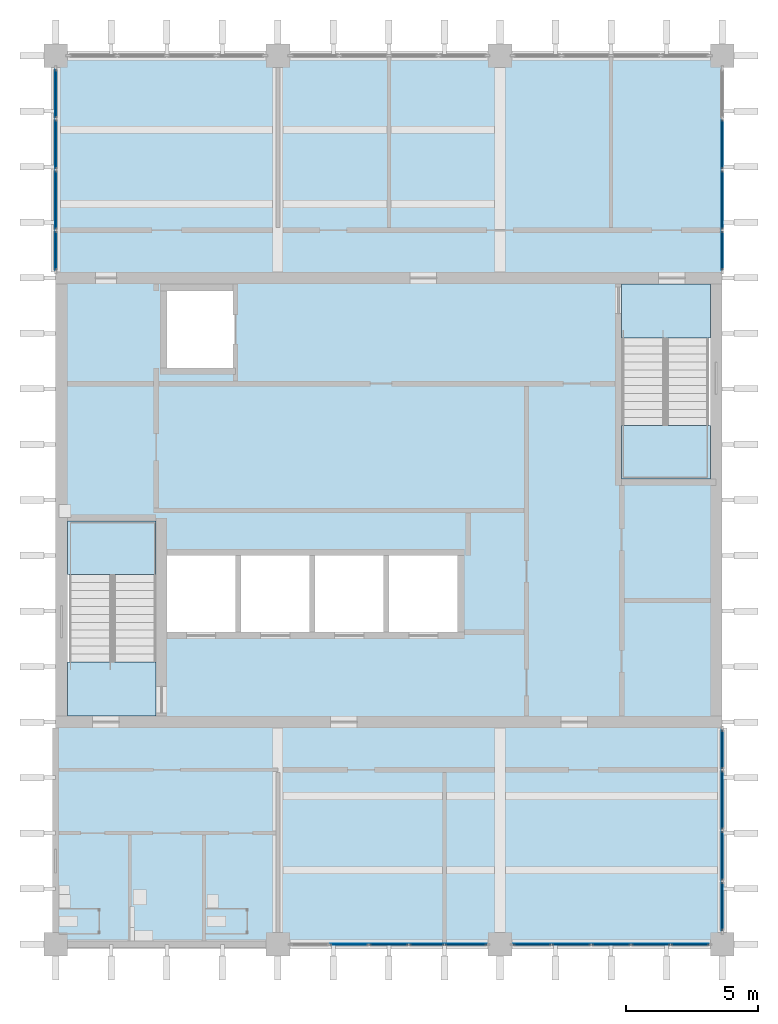
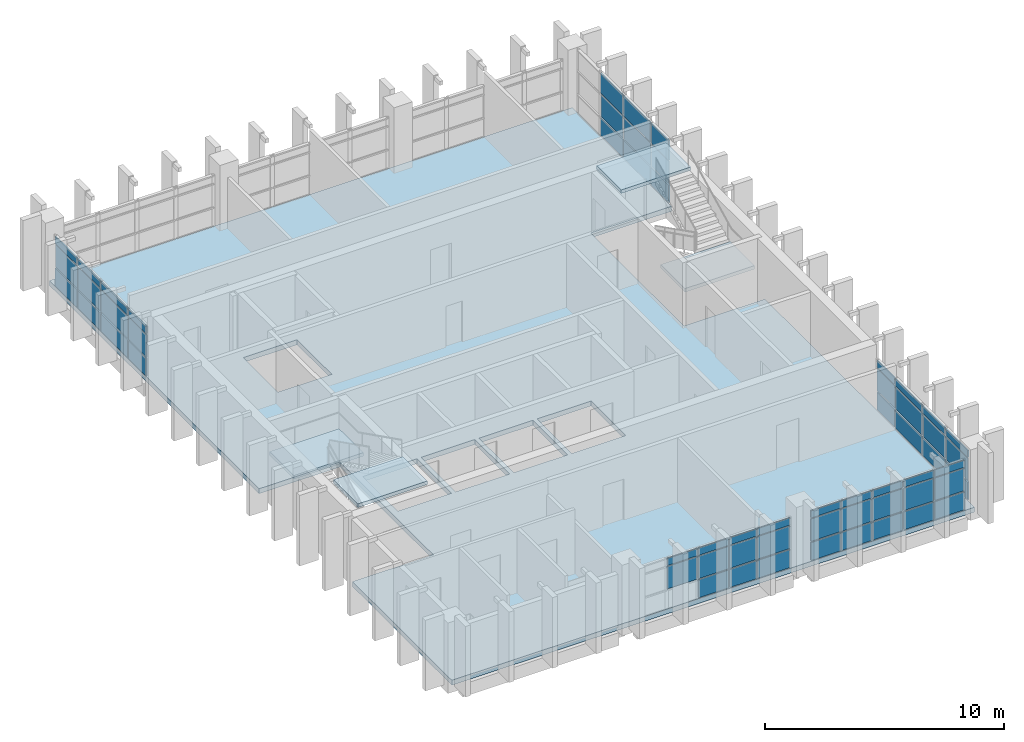
# One storey, part 5 of 10: 59 plates, 5 slabs, 7 elements without a shape of their own.
"""IFC4 building model written with IfcOpenShell, lengths in metres."""

from ifc_helpers import new_model, si_unit, direction, frame, origin, origin_2d, place, context, subcontext, project, spatial, polyline, rectangle, outline, extrude, material, layer, layer_set, type_object, element, aggregate, save


model = new_model("IFC4")

# Units and contexts
model_context = context("Model", 3, precision=1e-05, world=origin(), true_north=direction((0.0, 1.0)))
body_context = subcontext(model_context, "Body", "Model", "MODEL_VIEW")
ifc_project = project(units=[si_unit("LENGTHUNIT", "METRE"), si_unit("AREAUNIT", "SQUARE_METRE"), si_unit("VOLUMEUNIT", "CUBIC_METRE"), si_unit("PLANEANGLEUNIT", "RADIAN"), si_unit("MASSUNIT", "GRAM", prefix="KILO")], contexts=[model_context])

# Site, building, storey
site_placement = place(None, origin())
site = spatial("IfcSite", under=ifc_project, at=site_placement, CompositionType="ELEMENT")
building_placement = place(site_placement, origin())
building = spatial("IfcBuilding", under=site, at=building_placement, Name="Rulbaag Community and Learning Centre", CompositionType="ELEMENT")
storey_placement = place(building_placement, frame((0.0, 0.0, 28.800048828125)))
storey = spatial("IfcBuildingStorey", under=building, at=storey_placement, Name="L07", CompositionType="ELEMENT", Elevation=28.800048828125)

# Curtain wall, plates
ifc_material_1 = material(Name="Aluminium", Category="aluminium")
ifc_layer_1 = layer(ifc_material_1, 0.14990234375)
ifc_layer_set_1 = layer_set([ifc_layer_1], Name="CW-S")
curtain_wall_type_1 = type_object("IfcCurtainWallType", Name="CW-S", PredefinedType="USERDEFINED", material=ifc_layer_set_1)
curtain_wall_1_placement = place(storey_placement, origin())
curtain_wall_1 = element("IfcCurtainWall", 1, at=curtain_wall_1_placement, inside=storey, type_object=curtain_wall_type_1, Name="GS-L07-01", ObjectType="UNITISED CURTAIN WALL", PredefinedType="USERDEFINED")
ifc_layer_2 = layer(ifc_material_1, 0.054931640625)
ifc_layer_set_2 = layer_set([ifc_layer_2], Name="CW-S-SPN")
plate_type_1 = type_object("IfcPlateType", Name="CW-S-SPN", PredefinedType="CURTAIN_PANEL", material=ifc_layer_set_2)
plate_1_placement = place(storey_placement, frame((153.89990234375, 84.0, 2.22998046875), z_axis=(0.0, 0.0, 1.0), x_axis=(1.0, 0.0, 0.0)))
plate_1 = element("IfcPlate", 2, at=plate_1_placement, type_object=plate_type_1, Name="GS spandrel panel", PredefinedType="CURTAIN_PANEL", context=body_context, shape_type="SweptSolid", body=[
    extrude(rectangle(XDim=1.43994140625, YDim=0.054931640625, at=origin_2d()), origin(), (0.0, 0.0, 1.0), 0.360107421875),
])
plate_2_placement = place(storey_placement, frame((155.39990234375, 84.0, 0.06005859375), z_axis=(0.0, 0.0, 1.0), x_axis=(1.0, 0.0, 0.0)))
plate_2 = element("IfcPlate", 3, at=plate_2_placement, type_object=plate_type_1, Name="GS spandrel panel", PredefinedType="CURTAIN_PANEL", context=body_context, shape_type="SweptSolid", body=[
    extrude(rectangle(XDim=1.43994140625, YDim=0.054931640625, at=origin_2d()), origin(), (0.0, 0.0, 1.0), 0.909912109375),
])
plate_3_placement = place(storey_placement, frame((155.39990234375, 84.0, 2.22998046875), z_axis=(0.0, 0.0, 1.0), x_axis=(1.0, 0.0, 0.0)))
plate_3 = element("IfcPlate", 4, at=plate_3_placement, type_object=plate_type_1, Name="GS spandrel panel", PredefinedType="CURTAIN_PANEL", context=body_context, shape_type="SweptSolid", body=[
    extrude(rectangle(XDim=1.43994140625, YDim=0.054931640625, at=origin_2d()), origin(), (0.0, 0.0, 1.0), 0.360107421875),
])
plate_4_placement = place(storey_placement, frame((156.824951171875, 84.0, 0.06005859375), z_axis=(0.0, 0.0, 1.0), x_axis=(1.0, 0.0, 0.0)))
plate_4 = element("IfcPlate", 5, at=plate_4_placement, type_object=plate_type_1, Name="GS spandrel panel", PredefinedType="CURTAIN_PANEL", context=body_context, shape_type="SweptSolid", body=[
    extrude(rectangle(XDim=1.2900390625, YDim=0.054931640625, at=origin_2d()), origin(), (0.0, 0.0, 1.0), 0.909912109375),
])
plate_5_placement = place(storey_placement, frame((156.824951171875, 84.0, 2.22998046875), z_axis=(0.0, 0.0, 1.0), x_axis=(1.0, 0.0, 0.0)))
plate_5 = element("IfcPlate", 6, at=plate_5_placement, type_object=plate_type_1, Name="GS spandrel panel", PredefinedType="CURTAIN_PANEL", context=body_context, shape_type="SweptSolid", body=[
    extrude(rectangle(XDim=1.2900390625, YDim=0.054931640625, at=origin_2d()), origin(), (0.0, 0.0, 1.0), 0.360107421875),
])
plate_6_placement = place(storey_placement, frame((158.31005859375, 84.0, 0.06005859375), z_axis=(0.0, 0.0, 1.0), x_axis=(1.0, 0.0, 0.0)))
plate_6 = element("IfcPlate", 7, at=plate_6_placement, type_object=plate_type_1, Name="GS spandrel panel", PredefinedType="CURTAIN_PANEL", context=body_context, shape_type="SweptSolid", body=[
    extrude(rectangle(XDim=1.56005859375, YDim=0.054931640625, at=origin_2d()), origin(), (0.0, 0.0, 1.0), 0.909912109375),
])
plate_7_placement = place(storey_placement, frame((158.31005859375, 84.0, 2.22998046875), z_axis=(0.0, 0.0, 1.0), x_axis=(1.0, 0.0, 0.0)))
plate_7 = element("IfcPlate", 8, at=plate_7_placement, type_object=plate_type_1, Name="GS spandrel panel", PredefinedType="CURTAIN_PANEL", context=body_context, shape_type="SweptSolid", body=[
    extrude(rectangle(XDim=1.56005859375, YDim=0.054931640625, at=origin_2d()), origin(), (0.0, 0.0, 1.0), 0.360107421875),
])

curtain_wall_2_placement = place(storey_placement, origin())
curtain_wall_2 = element("IfcCurtainWall", 9, at=curtain_wall_2_placement, inside=storey, type_object=curtain_wall_type_1, Name="GS-L07-02", ObjectType="UNITISED CURTAIN WALL", PredefinedType="USERDEFINED")
plate_8_placement = place(storey_placement, frame((160.81494140625, 84.0, 0.06005859375), z_axis=(0.0, 0.0, 1.0), x_axis=(1.0, 0.0, 0.0)))
plate_8 = element("IfcPlate", 10, at=plate_8_placement, type_object=plate_type_1, Name="GS spandrel panel", PredefinedType="CURTAIN_PANEL", context=body_context, shape_type="SweptSolid", body=[
    extrude(rectangle(XDim=1.409912109375, YDim=0.054931640625, at=origin_2d()), origin(), (0.0, 0.0, 1.0), 0.909912109375),
])
plate_9_placement = place(storey_placement, frame((160.81494140625, 84.0, 2.22998046875), z_axis=(0.0, 0.0, 1.0), x_axis=(1.0, 0.0, 0.0)))
plate_9 = element("IfcPlate", 11, at=plate_9_placement, type_object=plate_type_1, Name="GS spandrel panel", PredefinedType="CURTAIN_PANEL", context=body_context, shape_type="SweptSolid", body=[
    extrude(rectangle(XDim=1.409912109375, YDim=0.054931640625, at=origin_2d()), origin(), (0.0, 0.0, 1.0), 0.360107421875),
])
plate_10_placement = place(storey_placement, frame((162.300048828125, 84.0, 0.06005859375), z_axis=(0.0, 0.0, 1.0), x_axis=(1.0, 0.0, 0.0)))
plate_10 = element("IfcPlate", 12, at=plate_10_placement, type_object=plate_type_1, Name="GS spandrel panel", PredefinedType="CURTAIN_PANEL", context=body_context, shape_type="SweptSolid", body=[
    extrude(rectangle(XDim=1.43994140625, YDim=0.054931640625, at=origin_2d()), origin(), (0.0, 0.0, 1.0), 0.909912109375),
])
plate_11_placement = place(storey_placement, frame((162.300048828125, 84.0, 2.22998046875), z_axis=(0.0, 0.0, 1.0), x_axis=(1.0, 0.0, 0.0)))
plate_11 = element("IfcPlate", 13, at=plate_11_placement, type_object=plate_type_1, Name="GS spandrel panel", PredefinedType="CURTAIN_PANEL", context=body_context, shape_type="SweptSolid", body=[
    extrude(rectangle(XDim=1.43994140625, YDim=0.054931640625, at=origin_2d()), origin(), (0.0, 0.0, 1.0), 0.360107421875),
])
plate_12_placement = place(storey_placement, frame((163.800048828125, 84.0, 0.06005859375), z_axis=(0.0, 0.0, 1.0), x_axis=(1.0, 0.0, 0.0)))
plate_12 = element("IfcPlate", 14, at=plate_12_placement, type_object=plate_type_1, Name="GS spandrel panel", PredefinedType="CURTAIN_PANEL", context=body_context, shape_type="SweptSolid", body=[
    extrude(rectangle(XDim=1.43994140625, YDim=0.054931640625, at=origin_2d()), origin(), (0.0, 0.0, 1.0), 0.909912109375),
])
plate_13_placement = place(storey_placement, frame((163.800048828125, 84.0, 2.22998046875), z_axis=(0.0, 0.0, 1.0), x_axis=(1.0, 0.0, 0.0)))
plate_13 = element("IfcPlate", 15, at=plate_13_placement, type_object=plate_type_1, Name="GS spandrel panel", PredefinedType="CURTAIN_PANEL", context=body_context, shape_type="SweptSolid", body=[
    extrude(rectangle(XDim=1.43994140625, YDim=0.054931640625, at=origin_2d()), origin(), (0.0, 0.0, 1.0), 0.360107421875),
])
plate_14_placement = place(storey_placement, frame((165.300048828125, 84.0, 0.06005859375), z_axis=(0.0, 0.0, 1.0), x_axis=(1.0, 0.0, 0.0)))
plate_14 = element("IfcPlate", 16, at=plate_14_placement, type_object=plate_type_1, Name="GS spandrel panel", PredefinedType="CURTAIN_PANEL", context=body_context, shape_type="SweptSolid", body=[
    extrude(rectangle(XDim=1.43994140625, YDim=0.054931640625, at=origin_2d()), origin(), (0.0, 0.0, 1.0), 0.909912109375),
])
plate_15_placement = place(storey_placement, frame((165.300048828125, 84.0, 2.22998046875), z_axis=(0.0, 0.0, 1.0), x_axis=(1.0, 0.0, 0.0)))
plate_15 = element("IfcPlate", 17, at=plate_15_placement, type_object=plate_type_1, Name="GS spandrel panel", PredefinedType="CURTAIN_PANEL", context=body_context, shape_type="SweptSolid", body=[
    extrude(rectangle(XDim=1.43994140625, YDim=0.054931640625, at=origin_2d()), origin(), (0.0, 0.0, 1.0), 0.360107421875),
])
plate_16_placement = place(storey_placement, frame((166.784912109375, 84.0, 0.06005859375), z_axis=(0.0, 0.0, 1.0), x_axis=(1.0, 0.0, 0.0)))
plate_16 = element("IfcPlate", 18, at=plate_16_placement, type_object=plate_type_1, Name="GS spandrel panel", PredefinedType="CURTAIN_PANEL", context=body_context, shape_type="SweptSolid", body=[
    extrude(rectangle(XDim=1.409912109375, YDim=0.054931640625, at=origin_2d()), origin(), (0.0, 0.0, 1.0), 0.909912109375),
])
plate_17_placement = place(storey_placement, frame((166.784912109375, 84.0, 2.22998046875), z_axis=(0.0, 0.0, 1.0), x_axis=(1.0, 0.0, 0.0)))
plate_17 = element("IfcPlate", 19, at=plate_17_placement, type_object=plate_type_1, Name="GS spandrel panel", PredefinedType="CURTAIN_PANEL", context=body_context, shape_type="SweptSolid", body=[
    extrude(rectangle(XDim=1.409912109375, YDim=0.054931640625, at=origin_2d()), origin(), (0.0, 0.0, 1.0), 0.360107421875),
])

# Plate
ifc_material_2 = material(Name="Glass", Category="glass")
ifc_layer_3 = layer(ifc_material_2, 0.030029296875)
ifc_layer_set_3 = layer_set([ifc_layer_3], Name="CW-S-VIS")
plate_type_2 = type_object("IfcPlateType", Name="CW-S-VIS", PredefinedType="CURTAIN_PANEL", material=ifc_layer_set_3)
plate_18_placement = place(storey_placement, frame((153.89990234375, 84.0, 1.02978515625), z_axis=(0.0, 0.0, 1.0), x_axis=(1.0, 0.0, 0.0)))
plate_18 = element("IfcPlate", 20, at=plate_18_placement, type_object=plate_type_2, Name="GS vision panel", PredefinedType="CURTAIN_PANEL", context=body_context, shape_type="SweptSolid", body=[
    extrude(rectangle(XDim=1.43994140625, YDim=0.030029296875, at=origin_2d()), origin(), (0.0, 0.0, 1.0), 1.139892578125),
])

plate_19_placement = place(storey_placement, frame((155.39990234375, 84.0, 1.02978515625), z_axis=(0.0, 0.0, 1.0), x_axis=(1.0, 0.0, 0.0)))
plate_19 = element("IfcPlate", 21, at=plate_19_placement, type_object=plate_type_2, Name="GS vision panel", PredefinedType="CURTAIN_PANEL", context=body_context, shape_type="SweptSolid", body=[
    extrude(rectangle(XDim=1.43994140625, YDim=0.030029296875, at=origin_2d()), origin(), (0.0, 0.0, 1.0), 1.139892578125),
])

plate_20_placement = place(storey_placement, frame((156.824951171875, 84.0, 1.02978515625), z_axis=(0.0, 0.0, 1.0), x_axis=(1.0, 0.0, 0.0)))
plate_20 = element("IfcPlate", 22, at=plate_20_placement, type_object=plate_type_2, Name="GS vision panel", PredefinedType="CURTAIN_PANEL", context=body_context, shape_type="SweptSolid", body=[
    extrude(rectangle(XDim=1.2900390625, YDim=0.030029296875, at=origin_2d()), origin(), (0.0, 0.0, 1.0), 1.139892578125),
])

plate_21_placement = place(storey_placement, frame((158.31005859375, 84.0, 1.02978515625), z_axis=(0.0, 0.0, 1.0), x_axis=(1.0, 0.0, 0.0)))
plate_21 = element("IfcPlate", 23, at=plate_21_placement, type_object=plate_type_2, Name="GS vision panel", PredefinedType="CURTAIN_PANEL", context=body_context, shape_type="SweptSolid", body=[
    extrude(rectangle(XDim=1.56005859375, YDim=0.030029296875, at=origin_2d()), origin(), (0.0, 0.0, 1.0), 1.139892578125),
])

aggregate(curtain_wall_1, [plate_18, plate_1, plate_2, plate_19, plate_3, plate_4, plate_20, plate_5, plate_6, plate_21, plate_7])

plate_22_placement = place(storey_placement, frame((160.81494140625, 84.0, 1.02978515625), z_axis=(0.0, 0.0, 1.0), x_axis=(1.0, 0.0, 0.0)))
plate_22 = element("IfcPlate", 24, at=plate_22_placement, type_object=plate_type_2, Name="GS vision panel", PredefinedType="CURTAIN_PANEL", context=body_context, shape_type="SweptSolid", body=[
    extrude(rectangle(XDim=1.409912109375, YDim=0.030029296875, at=origin_2d()), origin(), (0.0, 0.0, 1.0), 1.139892578125),
])

plate_23_placement = place(storey_placement, frame((162.300048828125, 84.0, 1.02978515625), z_axis=(0.0, 0.0, 1.0), x_axis=(1.0, 0.0, 0.0)))
plate_23 = element("IfcPlate", 25, at=plate_23_placement, type_object=plate_type_2, Name="GS vision panel", PredefinedType="CURTAIN_PANEL", context=body_context, shape_type="SweptSolid", body=[
    extrude(rectangle(XDim=1.43994140625, YDim=0.030029296875, at=origin_2d()), origin(), (0.0, 0.0, 1.0), 1.139892578125),
])

plate_24_placement = place(storey_placement, frame((163.800048828125, 84.0, 1.02978515625), z_axis=(0.0, 0.0, 1.0), x_axis=(1.0, 0.0, 0.0)))
plate_24 = element("IfcPlate", 26, at=plate_24_placement, type_object=plate_type_2, Name="GS vision panel", PredefinedType="CURTAIN_PANEL", context=body_context, shape_type="SweptSolid", body=[
    extrude(rectangle(XDim=1.43994140625, YDim=0.030029296875, at=origin_2d()), origin(), (0.0, 0.0, 1.0), 1.139892578125),
])

plate_25_placement = place(storey_placement, frame((165.300048828125, 84.0, 1.02978515625), z_axis=(0.0, 0.0, 1.0), x_axis=(1.0, 0.0, 0.0)))
plate_25 = element("IfcPlate", 27, at=plate_25_placement, type_object=plate_type_2, Name="GS vision panel", PredefinedType="CURTAIN_PANEL", context=body_context, shape_type="SweptSolid", body=[
    extrude(rectangle(XDim=1.43994140625, YDim=0.030029296875, at=origin_2d()), origin(), (0.0, 0.0, 1.0), 1.139892578125),
])

plate_26_placement = place(storey_placement, frame((166.784912109375, 84.0, 1.02978515625), z_axis=(0.0, 0.0, 1.0), x_axis=(1.0, 0.0, 0.0)))
plate_26 = element("IfcPlate", 28, at=plate_26_placement, type_object=plate_type_2, Name="GS vision panel", PredefinedType="CURTAIN_PANEL", context=body_context, shape_type="SweptSolid", body=[
    extrude(rectangle(XDim=1.409912109375, YDim=0.030029296875, at=origin_2d()), origin(), (0.0, 0.0, 1.0), 1.139892578125),
])

aggregate(curtain_wall_2, [plate_8, plate_22, plate_9, plate_10, plate_23, plate_11, plate_12, plate_24, plate_13, plate_14, plate_25, plate_15, plate_16, plate_26, plate_17])

# Curtain wall, plates
ifc_layer_4 = layer(ifc_material_1, 0.14990234375)
ifc_layer_set_4 = layer_set([ifc_layer_4], Name="CW-T")
curtain_wall_type_2 = type_object("IfcCurtainWallType", Name="CW-T", PredefinedType="USERDEFINED", material=ifc_layer_set_4)
curtain_wall_3_placement = place(storey_placement, origin())
curtain_wall_3 = element("IfcCurtainWall", 29, at=curtain_wall_3_placement, inside=storey, type_object=curtain_wall_type_2, Name="GT-L07-04", ObjectType="UNITISED CURTAIN WALL", PredefinedType="USERDEFINED")
ifc_layer_5 = layer(ifc_material_1, 0.06005859375)
ifc_layer_set_5 = layer_set([ifc_layer_5], Name="CW-T-SPN")
plate_type_3 = type_object("IfcPlateType", Name="CW-T-SPN", PredefinedType="CURTAIN_PANEL", material=ifc_layer_set_5)
plate_27_placement = place(storey_placement, frame((142.800048828125, 110.228759765625, 0.06494140625), z_axis=(0.0, 0.0, 1.0), x_axis=(0.0, 1.0, 0.0)))
plate_27 = element("IfcPlate", 30, at=plate_27_placement, type_object=plate_type_3, Name="GT spandrel panel", PredefinedType="CURTAIN_PANEL", context=body_context, shape_type="SweptSolid", body=[
    extrude(rectangle(XDim=1.4775390625, YDim=0.06005859375, at=origin_2d()), origin(), (0.0, 0.0, 1.0), 0.902587890625),
])
plate_28_placement = place(storey_placement, frame((142.800048828125, 110.228759765625, 2.232421875), z_axis=(0.0, 0.0, 1.0), x_axis=(0.0, 1.0, 0.0)))
plate_28 = element("IfcPlate", 31, at=plate_28_placement, type_object=plate_type_3, Name="GT spandrel panel", PredefinedType="CURTAIN_PANEL", context=body_context, shape_type="SweptSolid", body=[
    extrude(rectangle(XDim=1.4775390625, YDim=0.06005859375, at=origin_2d()), origin(), (0.0, 0.0, 1.0), 0.3525390625),
])
plate_29_placement = place(storey_placement, frame((142.800048828125, 112.143798828125, 0.06494140625), z_axis=(0.0, 0.0, 1.0), x_axis=(0.0, 1.0, 0.0)))
plate_29 = element("IfcPlate", 32, at=plate_29_placement, type_object=plate_type_3, Name="GT spandrel panel", PredefinedType="CURTAIN_PANEL", context=body_context, shape_type="SweptSolid", body=[
    extrude(rectangle(XDim=2.222412109375, YDim=0.06005859375, at=origin_2d()), origin(), (0.0, 0.0, 1.0), 0.902587890625),
])
plate_30_placement = place(storey_placement, frame((142.800048828125, 112.143798828125, 2.232421875), z_axis=(0.0, 0.0, 1.0), x_axis=(0.0, 1.0, 0.0)))
plate_30 = element("IfcPlate", 33, at=plate_30_placement, type_object=plate_type_3, Name="GT spandrel panel", PredefinedType="CURTAIN_PANEL", context=body_context, shape_type="SweptSolid", body=[
    extrude(rectangle(XDim=2.222412109375, YDim=0.06005859375, at=origin_2d()), origin(), (0.0, 0.0, 1.0), 0.3525390625),
])
plate_31_placement = place(storey_placement, frame((142.800048828125, 114.253173828125, 0.06494140625), z_axis=(0.0, 0.0, 1.0), x_axis=(0.0, 1.0, 0.0)))
plate_31 = element("IfcPlate", 34, at=plate_31_placement, type_object=plate_type_3, Name="GT spandrel panel", PredefinedType="CURTAIN_PANEL", context=body_context, shape_type="SweptSolid", body=[
    extrude(rectangle(XDim=1.8662109375, YDim=0.06005859375, at=origin_2d()), origin(), (0.0, 0.0, 1.0), 0.902587890625),
])
plate_32_placement = place(storey_placement, frame((142.800048828125, 114.253173828125, 2.232421875), z_axis=(0.0, 0.0, 1.0), x_axis=(0.0, 1.0, 0.0)))
plate_32 = element("IfcPlate", 35, at=plate_32_placement, type_object=plate_type_3, Name="GT spandrel panel", PredefinedType="CURTAIN_PANEL", context=body_context, shape_type="SweptSolid", body=[
    extrude(rectangle(XDim=1.8662109375, YDim=0.06005859375, at=origin_2d()), origin(), (0.0, 0.0, 1.0), 0.3525390625),
])
plate_33_placement = place(storey_placement, frame((142.800048828125, 116.168212890625, 0.06494140625), z_axis=(0.0, 0.0, 1.0), x_axis=(0.0, 1.0, 0.0)))
plate_33 = element("IfcPlate", 36, at=plate_33_placement, type_object=plate_type_3, Name="GT spandrel panel", PredefinedType="CURTAIN_PANEL", context=body_context, shape_type="SweptSolid", body=[
    extrude(rectangle(XDim=1.833740234375, YDim=0.06005859375, at=origin_2d()), origin(), (0.0, 0.0, 1.0), 0.902587890625),
])
plate_34_placement = place(storey_placement, frame((142.800048828125, 116.168212890625, 2.232421875), z_axis=(0.0, 0.0, 1.0), x_axis=(0.0, 1.0, 0.0)))
plate_34 = element("IfcPlate", 37, at=plate_34_placement, type_object=plate_type_3, Name="GT spandrel panel", PredefinedType="CURTAIN_PANEL", context=body_context, shape_type="SweptSolid", body=[
    extrude(rectangle(XDim=1.833740234375, YDim=0.06005859375, at=origin_2d()), origin(), (0.0, 0.0, 1.0), 0.3525390625),
])

curtain_wall_4_placement = place(storey_placement, origin())
curtain_wall_4 = element("IfcCurtainWall", 38, at=curtain_wall_4_placement, inside=storey, type_object=curtain_wall_type_2, Name="GT-L07-05", ObjectType="UNITISED CURTAIN WALL", PredefinedType="USERDEFINED")
plate_35_placement = place(storey_placement, frame((168.0, 85.431884765625, 0.06494140625), z_axis=(0.0, 0.0, 1.0), x_axis=(0.0, 1.0, 0.0)))
plate_35 = element("IfcPlate", 39, at=plate_35_placement, type_object=plate_type_3, Name="GT spandrel panel", PredefinedType="CURTAIN_PANEL", context=body_context, shape_type="SweptSolid", body=[
    extrude(rectangle(XDim=1.833740234375, YDim=0.06005859375, at=origin_2d()), origin(), (0.0, 0.0, 1.0), 0.902587890625),
])
plate_36_placement = place(storey_placement, frame((168.0, 85.431884765625, 2.232421875), z_axis=(0.0, 0.0, 1.0), x_axis=(0.0, 1.0, 0.0)))
plate_36 = element("IfcPlate", 40, at=plate_36_placement, type_object=plate_type_3, Name="GT spandrel panel", PredefinedType="CURTAIN_PANEL", context=body_context, shape_type="SweptSolid", body=[
    extrude(rectangle(XDim=1.833740234375, YDim=0.06005859375, at=origin_2d()), origin(), (0.0, 0.0, 1.0), 0.3525390625),
])
plate_37_placement = place(storey_placement, frame((168.0, 87.346923828125, 0.06494140625), z_axis=(0.0, 0.0, 1.0), x_axis=(0.0, 1.0, 0.0)))
plate_37 = element("IfcPlate", 41, at=plate_37_placement, type_object=plate_type_3, Name="GT spandrel panel", PredefinedType="CURTAIN_PANEL", context=body_context, shape_type="SweptSolid", body=[
    extrude(rectangle(XDim=1.8662109375, YDim=0.06005859375, at=origin_2d()), origin(), (0.0, 0.0, 1.0), 0.902587890625),
])
plate_38_placement = place(storey_placement, frame((168.0, 87.346923828125, 2.232421875), z_axis=(0.0, 0.0, 1.0), x_axis=(0.0, 1.0, 0.0)))
plate_38 = element("IfcPlate", 42, at=plate_38_placement, type_object=plate_type_3, Name="GT spandrel panel", PredefinedType="CURTAIN_PANEL", context=body_context, shape_type="SweptSolid", body=[
    extrude(rectangle(XDim=1.8662109375, YDim=0.06005859375, at=origin_2d()), origin(), (0.0, 0.0, 1.0), 0.3525390625),
])
plate_39_placement = place(storey_placement, frame((168.0, 89.456298828125, 0.06494140625), z_axis=(0.0, 0.0, 1.0), x_axis=(0.0, 1.0, 0.0)))
plate_39 = element("IfcPlate", 43, at=plate_39_placement, type_object=plate_type_3, Name="GT spandrel panel", PredefinedType="CURTAIN_PANEL", context=body_context, shape_type="SweptSolid", body=[
    extrude(rectangle(XDim=2.222412109375, YDim=0.06005859375, at=origin_2d()), origin(), (0.0, 0.0, 1.0), 0.902587890625),
])
plate_40_placement = place(storey_placement, frame((168.0, 89.456298828125, 2.232421875), z_axis=(0.0, 0.0, 1.0), x_axis=(0.0, 1.0, 0.0)))
plate_40 = element("IfcPlate", 44, at=plate_40_placement, type_object=plate_type_3, Name="GT spandrel panel", PredefinedType="CURTAIN_PANEL", context=body_context, shape_type="SweptSolid", body=[
    extrude(rectangle(XDim=2.222412109375, YDim=0.06005859375, at=origin_2d()), origin(), (0.0, 0.0, 1.0), 0.3525390625),
])
plate_41_placement = place(storey_placement, frame((168.0, 91.371337890625, 0.06494140625), z_axis=(0.0, 0.0, 1.0), x_axis=(0.0, 1.0, 0.0)))
plate_41 = element("IfcPlate", 45, at=plate_41_placement, type_object=plate_type_3, Name="GT spandrel panel", PredefinedType="CURTAIN_PANEL", context=body_context, shape_type="SweptSolid", body=[
    extrude(rectangle(XDim=1.4775390625, YDim=0.06005859375, at=origin_2d()), origin(), (0.0, 0.0, 1.0), 0.902587890625),
])
plate_42_placement = place(storey_placement, frame((168.0, 91.371337890625, 2.232421875), z_axis=(0.0, 0.0, 1.0), x_axis=(0.0, 1.0, 0.0)))
plate_42 = element("IfcPlate", 46, at=plate_42_placement, type_object=plate_type_3, Name="GT spandrel panel", PredefinedType="CURTAIN_PANEL", context=body_context, shape_type="SweptSolid", body=[
    extrude(rectangle(XDim=1.4775390625, YDim=0.06005859375, at=origin_2d()), origin(), (0.0, 0.0, 1.0), 0.3525390625),
])

curtain_wall_5_placement = place(storey_placement, origin())
curtain_wall_5 = element("IfcCurtainWall", 47, at=curtain_wall_5_placement, inside=storey, type_object=curtain_wall_type_2, Name="GT-L07-06", ObjectType="UNITISED CURTAIN WALL", PredefinedType="USERDEFINED")
plate_43_placement = place(storey_placement, frame((168.0, 110.228759765625, 0.06494140625), z_axis=(0.0, 0.0, 1.0), x_axis=(0.0, 1.0, 0.0)))
plate_43 = element("IfcPlate", 48, at=plate_43_placement, type_object=plate_type_3, Name="GT spandrel panel", PredefinedType="CURTAIN_PANEL", context=body_context, shape_type="SweptSolid", body=[
    extrude(rectangle(XDim=1.4775390625, YDim=0.06005859375, at=origin_2d()), origin(), (0.0, 0.0, 1.0), 0.902587890625),
])
plate_44_placement = place(storey_placement, frame((168.0, 110.228759765625, 2.232421875), z_axis=(0.0, 0.0, 1.0), x_axis=(0.0, 1.0, 0.0)))
plate_44 = element("IfcPlate", 49, at=plate_44_placement, type_object=plate_type_3, Name="GT spandrel panel", PredefinedType="CURTAIN_PANEL", context=body_context, shape_type="SweptSolid", body=[
    extrude(rectangle(XDim=1.4775390625, YDim=0.06005859375, at=origin_2d()), origin(), (0.0, 0.0, 1.0), 1.00244140625),
])
plate_45_placement = place(storey_placement, frame((168.0, 112.143798828125, 0.06494140625), z_axis=(0.0, 0.0, 1.0), x_axis=(0.0, 1.0, 0.0)))
plate_45 = element("IfcPlate", 50, at=plate_45_placement, type_object=plate_type_3, Name="GT spandrel panel", PredefinedType="CURTAIN_PANEL", context=body_context, shape_type="SweptSolid", body=[
    extrude(rectangle(XDim=2.222412109375, YDim=0.06005859375, at=origin_2d()), origin(), (0.0, 0.0, 1.0), 0.902587890625),
])
plate_46_placement = place(storey_placement, frame((168.0, 112.143798828125, 2.232421875), z_axis=(0.0, 0.0, 1.0), x_axis=(0.0, 1.0, 0.0)))
plate_46 = element("IfcPlate", 51, at=plate_46_placement, type_object=plate_type_3, Name="GT spandrel panel", PredefinedType="CURTAIN_PANEL", context=body_context, shape_type="SweptSolid", body=[
    extrude(rectangle(XDim=2.222412109375, YDim=0.06005859375, at=origin_2d()), origin(), (0.0, 0.0, 1.0), 1.00244140625),
])
plate_47_placement = place(storey_placement, frame((168.0, 114.253173828125, 0.06494140625), z_axis=(0.0, 0.0, 1.0), x_axis=(0.0, 1.0, 0.0)))
plate_47 = element("IfcPlate", 52, at=plate_47_placement, type_object=plate_type_3, Name="GT spandrel panel", PredefinedType="CURTAIN_PANEL", context=body_context, shape_type="SweptSolid", body=[
    extrude(rectangle(XDim=1.8662109375, YDim=0.06005859375, at=origin_2d()), origin(), (0.0, 0.0, 1.0), 0.902587890625),
])
plate_48_placement = place(storey_placement, frame((168.0, 114.253173828125, 2.232421875), z_axis=(0.0, 0.0, 1.0), x_axis=(0.0, 1.0, 0.0)))
plate_48 = element("IfcPlate", 53, at=plate_48_placement, type_object=plate_type_3, Name="GT spandrel panel", PredefinedType="CURTAIN_PANEL", context=body_context, shape_type="SweptSolid", body=[
    extrude(rectangle(XDim=1.8662109375, YDim=0.06005859375, at=origin_2d()), origin(), (0.0, 0.0, 1.0), 1.00244140625),
])

# Plate
ifc_layer_6 = layer(ifc_material_2, 0.028076171875)
ifc_layer_set_6 = layer_set([ifc_layer_6], Name="CW-T-VIS")
plate_type_4 = type_object("IfcPlateType", Name="CW-T-VIS", PredefinedType="CURTAIN_PANEL", material=ifc_layer_set_6)
plate_49_placement = place(storey_placement, frame((142.800048828125, 110.228759765625, 1.0322265625), z_axis=(0.0, 0.0, 1.0), x_axis=(0.0, 1.0, 0.0)))
plate_49 = element("IfcPlate", 54, at=plate_49_placement, type_object=plate_type_4, Name="GT vision panel", PredefinedType="CURTAIN_PANEL", context=body_context, shape_type="SweptSolid", body=[
    extrude(rectangle(XDim=1.4775390625, YDim=0.028076171875, at=origin_2d()), origin(), (0.0, 0.0, 1.0), 1.135009765625),
])

plate_50_placement = place(storey_placement, frame((142.800048828125, 112.143798828125, 1.0322265625), z_axis=(0.0, 0.0, 1.0), x_axis=(0.0, 1.0, 0.0)))
plate_50 = element("IfcPlate", 55, at=plate_50_placement, type_object=plate_type_4, Name="GT vision panel", PredefinedType="CURTAIN_PANEL", context=body_context, shape_type="SweptSolid", body=[
    extrude(rectangle(XDim=2.222412109375, YDim=0.028076171875, at=origin_2d()), origin(), (0.0, 0.0, 1.0), 1.135009765625),
])

plate_51_placement = place(storey_placement, frame((142.800048828125, 114.253173828125, 1.0322265625), z_axis=(0.0, 0.0, 1.0), x_axis=(0.0, 1.0, 0.0)))
plate_51 = element("IfcPlate", 56, at=plate_51_placement, type_object=plate_type_4, Name="GT vision panel", PredefinedType="CURTAIN_PANEL", context=body_context, shape_type="SweptSolid", body=[
    extrude(rectangle(XDim=1.8662109375, YDim=0.028076171875, at=origin_2d()), origin(), (0.0, 0.0, 1.0), 1.135009765625),
])

plate_52_placement = place(storey_placement, frame((142.800048828125, 116.168212890625, 1.0322265625), z_axis=(0.0, 0.0, 1.0), x_axis=(0.0, 1.0, 0.0)))
plate_52 = element("IfcPlate", 57, at=plate_52_placement, type_object=plate_type_4, Name="GT vision panel", PredefinedType="CURTAIN_PANEL", context=body_context, shape_type="SweptSolid", body=[
    extrude(rectangle(XDim=1.833740234375, YDim=0.028076171875, at=origin_2d()), origin(), (0.0, 0.0, 1.0), 1.135009765625),
])

aggregate(curtain_wall_3, [plate_27, plate_49, plate_28, plate_29, plate_50, plate_30, plate_31, plate_51, plate_32, plate_33, plate_52, plate_34])

plate_53_placement = place(storey_placement, frame((168.0, 85.431884765625, 1.0322265625), z_axis=(0.0, 0.0, 1.0), x_axis=(0.0, 1.0, 0.0)))
plate_53 = element("IfcPlate", 58, at=plate_53_placement, type_object=plate_type_4, Name="GT vision panel", PredefinedType="CURTAIN_PANEL", context=body_context, shape_type="SweptSolid", body=[
    extrude(rectangle(XDim=1.833740234375, YDim=0.028076171875, at=origin_2d()), origin(), (0.0, 0.0, 1.0), 1.135009765625),
])

plate_54_placement = place(storey_placement, frame((168.0, 87.346923828125, 1.0322265625), z_axis=(0.0, 0.0, 1.0), x_axis=(0.0, 1.0, 0.0)))
plate_54 = element("IfcPlate", 59, at=plate_54_placement, type_object=plate_type_4, Name="GT vision panel", PredefinedType="CURTAIN_PANEL", context=body_context, shape_type="SweptSolid", body=[
    extrude(rectangle(XDim=1.8662109375, YDim=0.028076171875, at=origin_2d()), origin(), (0.0, 0.0, 1.0), 1.135009765625),
])

plate_55_placement = place(storey_placement, frame((168.0, 89.456298828125, 1.0322265625), z_axis=(0.0, 0.0, 1.0), x_axis=(0.0, 1.0, 0.0)))
plate_55 = element("IfcPlate", 60, at=plate_55_placement, type_object=plate_type_4, Name="GT vision panel", PredefinedType="CURTAIN_PANEL", context=body_context, shape_type="SweptSolid", body=[
    extrude(rectangle(XDim=2.222412109375, YDim=0.028076171875, at=origin_2d()), origin(), (0.0, 0.0, 1.0), 1.135009765625),
])

plate_56_placement = place(storey_placement, frame((168.0, 91.371337890625, 1.0322265625), z_axis=(0.0, 0.0, 1.0), x_axis=(0.0, 1.0, 0.0)))
plate_56 = element("IfcPlate", 61, at=plate_56_placement, type_object=plate_type_4, Name="GT vision panel", PredefinedType="CURTAIN_PANEL", context=body_context, shape_type="SweptSolid", body=[
    extrude(rectangle(XDim=1.4775390625, YDim=0.028076171875, at=origin_2d()), origin(), (0.0, 0.0, 1.0), 1.135009765625),
])

aggregate(curtain_wall_4, [plate_35, plate_53, plate_36, plate_37, plate_54, plate_38, plate_39, plate_55, plate_40, plate_41, plate_56, plate_42])

plate_57_placement = place(storey_placement, frame((168.0, 110.228759765625, 1.0322265625), z_axis=(0.0, 0.0, 1.0), x_axis=(0.0, 1.0, 0.0)))
plate_57 = element("IfcPlate", 62, at=plate_57_placement, type_object=plate_type_4, Name="GT vision panel", PredefinedType="CURTAIN_PANEL", context=body_context, shape_type="SweptSolid", body=[
    extrude(rectangle(XDim=1.4775390625, YDim=0.028076171875, at=origin_2d()), origin(), (0.0, 0.0, 1.0), 1.135009765625),
])

plate_58_placement = place(storey_placement, frame((168.0, 112.143798828125, 1.0322265625), z_axis=(0.0, 0.0, 1.0), x_axis=(0.0, 1.0, 0.0)))
plate_58 = element("IfcPlate", 63, at=plate_58_placement, type_object=plate_type_4, Name="GT vision panel", PredefinedType="CURTAIN_PANEL", context=body_context, shape_type="SweptSolid", body=[
    extrude(rectangle(XDim=2.222412109375, YDim=0.028076171875, at=origin_2d()), origin(), (0.0, 0.0, 1.0), 1.135009765625),
])

plate_59_placement = place(storey_placement, frame((168.0, 114.253173828125, 1.0322265625), z_axis=(0.0, 0.0, 1.0), x_axis=(0.0, 1.0, 0.0)))
plate_59 = element("IfcPlate", 64, at=plate_59_placement, type_object=plate_type_4, Name="GT vision panel", PredefinedType="CURTAIN_PANEL", context=body_context, shape_type="SweptSolid", body=[
    extrude(rectangle(XDim=1.8662109375, YDim=0.028076171875, at=origin_2d()), origin(), (0.0, 0.0, 1.0), 1.135009765625),
])

aggregate(curtain_wall_5, [plate_43, plate_57, plate_44, plate_45, plate_58, plate_46, plate_47, plate_59, plate_48])

# Stair, slabs
ifc_material_3 = material(Name="Concrete M40", Category="concrete")
stair_type = type_object("IfcStairType", Name="ST-1650 STAIR 1650 WIDE", PredefinedType="HALF_TURN_STAIR", material=ifc_material_3)
stair_1_placement = place(storey_placement, origin())
stair_1 = element("IfcStair", 65, at=stair_1_placement, inside=storey, type_object=stair_type, Name="Stair ST1 L07", PredefinedType="HALF_TURN_STAIR")
ifc_layer_7 = layer(ifc_material_3, 0.179931640625)
ifc_layer_set_7 = layer_set([ifc_layer_7], Name="LN-180 LANDING 180 Concrete M40")
slab_type_1 = type_object("IfcSlabType", Name="LN-180 LANDING 180 Concrete M40", PredefinedType="LANDING", material=ifc_layer_set_7)
slab_1_placement = place(storey_placement, frame((0.0, 0.0, 1.619873046875)))
slab_1 = element("IfcSlab", 66, at=slab_1_placement, type_object=slab_type_1, Name="ST1 landing 1", PredefinedType="LANDING", context=body_context, shape_type="SweptSolid", body=[
    extrude(outline(polyline([(143.25, 97.97509765625), (143.25, 100.0), (146.60009765625, 100.0), (146.60009765625, 97.97509765625), (143.25, 97.97509765625)])), origin(), (0.0, 0.0, 1.0), 0.18017578125),
])
slab_2_placement = place(storey_placement, frame((0.0, 0.0, 3.419921875)))
slab_2 = element("IfcSlab", 67, at=slab_2_placement, type_object=slab_type_1, Name="ST1 landing 2", PredefinedType="LANDING", context=body_context, shape_type="SweptSolid", body=[
    extrude(outline(polyline([(143.25, 92.625), (143.25, 94.675048828125), (146.60009765625, 94.675048828125), (146.60009765625, 92.625), (143.25, 92.625)])), origin(), (0.0, 0.0, 1.0), 0.179931640625),
])
aggregate(stair_1, [slab_1, slab_2])

stair_2_placement = place(storey_placement, origin())
stair_2 = element("IfcStair", 68, at=stair_2_placement, inside=storey, type_object=stair_type, Name="Stair ST2 L07", PredefinedType="HALF_TURN_STAIR")
slab_3_placement = place(storey_placement, frame((0.0, 0.0, 1.619873046875)))
slab_3 = element("IfcSlab", 69, at=slab_3_placement, type_object=slab_type_1, Name="ST2 landing 1", PredefinedType="LANDING", context=body_context, shape_type="SweptSolid", body=[
    extrude(outline(polyline([(164.199951171875, 101.60009765625), (164.199951171875, 103.625), (167.550048828125, 103.625), (167.550048828125, 101.60009765625), (164.199951171875, 101.60009765625)])), origin(), (0.0, 0.0, 1.0), 0.18017578125),
])
slab_4_placement = place(storey_placement, frame((0.0, 0.0, 3.419921875)))
slab_4 = element("IfcSlab", 70, at=slab_4_placement, type_object=slab_type_1, Name="ST2 landing 2", PredefinedType="LANDING", context=body_context, shape_type="SweptSolid", body=[
    extrude(outline(polyline([(164.199951171875, 106.925048828125), (164.199951171875, 108.97509765625), (167.550048828125, 108.97509765625), (167.550048828125, 106.925048828125), (164.199951171875, 106.925048828125)])), origin(), (0.0, 0.0, 1.0), 0.179931640625),
])
aggregate(stair_2, [slab_3, slab_4])

# Slab
ifc_layer_8 = layer(ifc_material_3, 0.25)
ifc_layer_set_8 = layer_set([ifc_layer_8], Name="S10 Floor slab 250 Concrete M40")
slab_type_2 = type_object("IfcSlabType", Name="S10 Floor slab 250 Concrete M40", PredefinedType="FLOOR", material=ifc_layer_set_8)
slab_5_placement = place(storey_placement, frame((0.0, 0.0, -0.25)))
element("IfcSlab", 71, at=slab_5_placement, inside=storey, type_object=slab_type_2, Name="SL-L07-B01", PredefinedType="FLOOR", context=body_context, shape_type="SweptSolid", body=[
    extrude(outline(polyline([(168.0, 84.0), (142.800048828125, 84.0), (142.800048828125, 92.300048828125), (146.699951171875, 92.300048828125), (146.699951171875, 100.10009765625), (142.800048828125, 100.10009765625), (142.800048828125, 117.60009765625), (168.0, 117.60009765625), (168.0, 109.300048828125), (164.10009765625, 109.300048828125), (164.10009765625, 101.5), (168.0, 101.5), (168.0, 84.0)]), holes=[polyline([(147.0, 98.699951171875), (147.0, 95.800048828125), (149.60009765625, 95.800048828125), (149.60009765625, 98.699951171875), (147.0, 98.699951171875)]), polyline([(149.800048828125, 98.699951171875), (149.800048828125, 95.800048828125), (152.39990234375, 95.800048828125), (152.39990234375, 98.699951171875), (149.800048828125, 98.699951171875)]), polyline([(152.60009765625, 98.699951171875), (152.60009765625, 95.800048828125), (155.199951171875, 95.800048828125), (155.199951171875, 98.699951171875), (152.60009765625, 98.699951171875)]), polyline([(155.39990234375, 98.699951171875), (155.39990234375, 95.800048828125), (158.0, 95.800048828125), (158.0, 98.699951171875), (155.39990234375, 98.699951171875)]), polyline([(147.0, 108.699951171875), (147.0, 105.800048828125), (149.60009765625, 105.800048828125), (149.60009765625, 108.699951171875), (147.0, 108.699951171875)])]), origin(), (0.0, 0.0, 1.0), 0.25),
])

save(model, "model.ifc")
